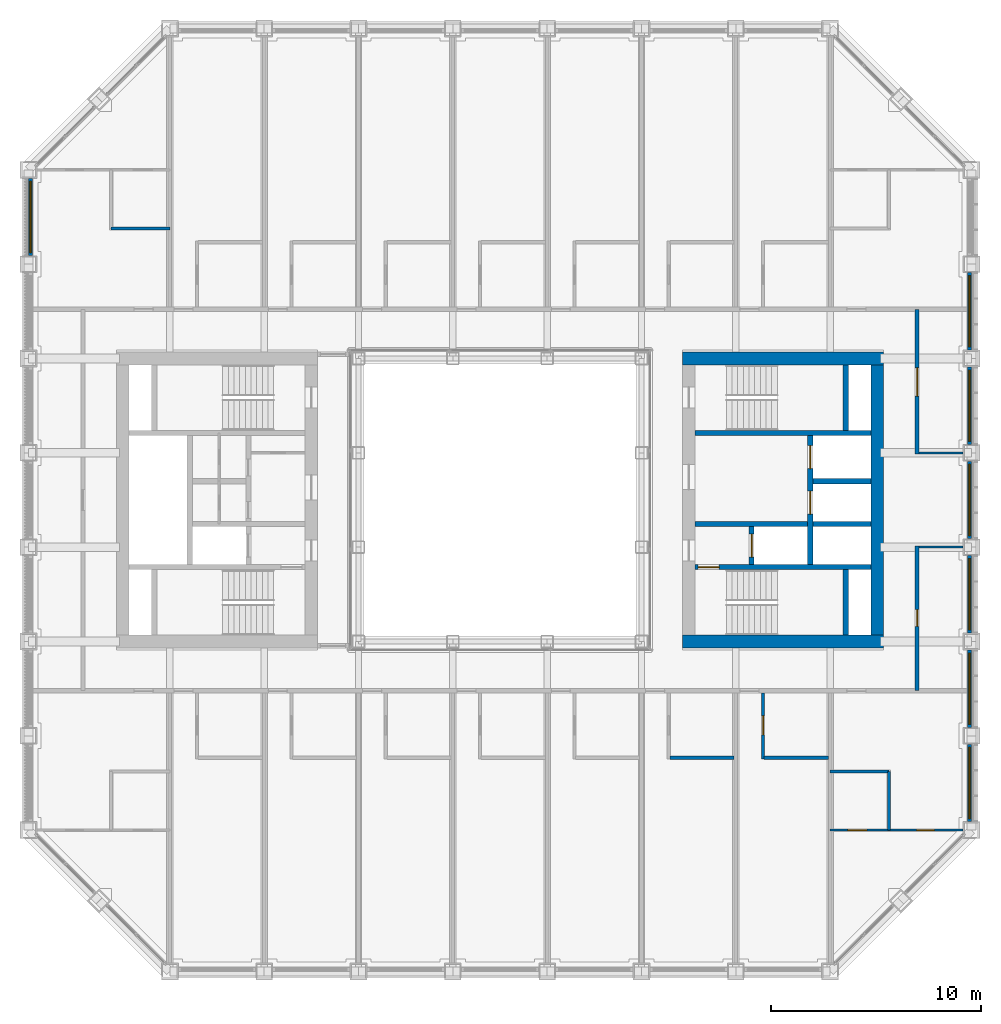
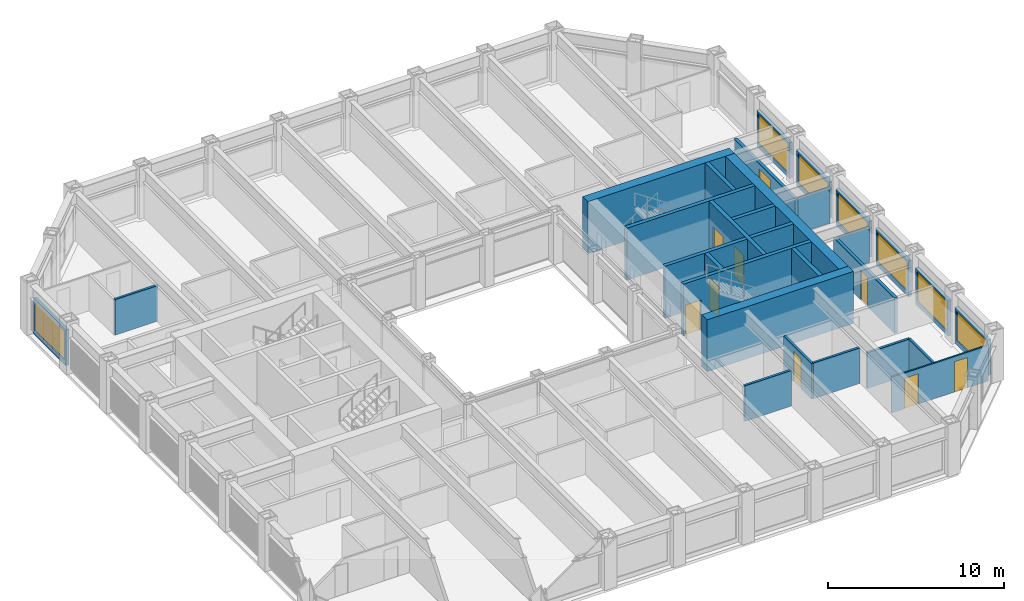
# One storey, part 13 of 18: 30 walls, 9 doors, 7 windows, 16 openings.
"""IFC4 building model written with IfcOpenShell, lengths in metres."""

from ifc_helpers import new_model, si_unit, direction, frame, frame_2d, origin, place, context, subcontext, project, spatial, rectangle, extrude, material, layer, layer_set, type_object, element, fill, save


model = new_model("IFC4")

# Units and contexts
model_context = context("Model", 3, precision=1e-05, world=origin(), true_north=direction((0.0, 1.0)))
body_context = subcontext(model_context, "Body", "Model", "MODEL_VIEW")
ifc_project = project(units=[si_unit("LENGTHUNIT", "METRE"), si_unit("AREAUNIT", "SQUARE_METRE"), si_unit("VOLUMEUNIT", "CUBIC_METRE"), si_unit("PLANEANGLEUNIT", "RADIAN"), si_unit("MASSUNIT", "GRAM", prefix="KILO")], contexts=[model_context])

# Site, building, storey
site_placement = place(None, origin())
site = spatial("IfcSite", under=ifc_project, at=site_placement, CompositionType="ELEMENT")
building_placement = place(site_placement, origin())
building = spatial("IfcBuilding", under=site, at=building_placement, Name="Msasa Ring Tower", CompositionType="ELEMENT")
storey_placement = place(building_placement, frame((0.0, 0.0, 122.0)))
storey = spatial("IfcBuildingStorey", under=building, at=storey_placement, Name="L31", CompositionType="ELEMENT", Elevation=122.0)

# Walls
ifc_material_1 = material(Name="Concrete C60/75", Category="concrete")
ifc_layer_1 = layer(ifc_material_1, 0.60009765625)
ifc_layer_set_1 = layer_set([ifc_layer_1], Name="CW2 CORE WALL 600")
wall_type_1 = type_object("IfcWallType", Name="CW2 CORE WALL 600", PredefinedType="SHEAR", material=ifc_layer_set_1)
for number, where, z_axis, x_axis, name in (
    (1, (8.699951171875, -6.75, 0.0), (0.0, 0.0, 1.0), (1.0, 0.0, 0.0), "E core wall S L31"),
    (2, (8.699951171875, 6.75, 0.0), (0.0, 0.0, 1.0), (1.0, 0.0, 0.0), "E core wall N L31"),
):
    element("IfcWall", number, at=place(storey_placement, frame(where, z_axis=z_axis, x_axis=x_axis)), inside=storey, type_object=wall_type_1, Name=name, PredefinedType="SHEAR", context=body_context, shape_type="SweptSolid", body=[
        extrude(rectangle(XDim=9.60009765625, YDim=0.60009765625, at=frame_2d((4.800048828125, 0.0))), origin(), (0.0, 0.0, 1.0), 3.60009765625),
    ])
wall_1_placement = place(storey_placement, frame((18.0, -6.449951171875, 0.0), z_axis=(0.0, 0.0, 1.0), x_axis=(0.0, 1.0, 0.0)))
element("IfcWall", 3, at=wall_1_placement, inside=storey, type_object=wall_type_1, Name="E core wall E L31", PredefinedType="SHEAR", context=body_context, shape_type="SweptSolid", body=[
    extrude(rectangle(XDim=12.89990234375, YDim=0.60009765625, at=frame_2d((6.449951171875, 0.0))), origin(), (0.0, 0.0, 1.0), 3.60009765625),
])

# Wall, opening, door
ifc_material_2 = material(Name="Concrete C60/75", Category="concrete")
ifc_layer_2 = layer(ifc_material_2, 0.25)
ifc_layer_set_2 = layer_set([ifc_layer_2], Name="CW4 CORE INNER WALL 250")
wall_type_2 = type_object("IfcWallType", Name="CW4 CORE INNER WALL 250", PredefinedType="SHEAR", material=ifc_layer_set_2)
wall_2_placement = place(storey_placement, frame((9.300048828125, -3.199951171875, 0.0), z_axis=(0.0, 0.0, 1.0), x_axis=(1.0, 0.0, 0.0)))
wall_2 = element("IfcWall", 4, at=wall_2_placement, inside=storey, type_object=wall_type_2, Name="E core wall STAIRA L31", PredefinedType="SHEAR", context=body_context, shape_type="SweptSolid", body=[
    extrude(rectangle(XDim=8.39990234375, YDim=0.25, at=frame_2d((4.199951171875, 0.0))), origin(), (0.0, 0.0, 1.0), 3.60009765625),
])
opening_1_placement = place(wall_2_placement, frame((0.14990234375, 0.0, 0.0)))
opening_1 = element("IfcOpeningElement", 5, at=opening_1_placement, cuts=wall_2, Name="Opening HA-036", PredefinedType="OPENING", context=body_context, shape_type="SweptSolid", body=[
    extrude(rectangle(XDim=1.0, YDim=2.10009765625, at=frame_2d((0.5, 1.050048828125))), frame((0.0, 0.135009765625, 0.0), z_axis=(0.0, -1.0, 0.0), x_axis=(1.0, 0.0, 0.0)), (0.0, 0.0, 1.0), 0.27001953125),
])
ifc_material_3 = material(Name="Timber door leaf in a steel frame", Category="steel")
door_type_1 = type_object("IfcDoorType", Name="D6 STAIR DOOR 1000x2100", OperationType="SINGLE_SWING_LEFT", PredefinedType="DOOR", material=ifc_material_3)
door_1_placement = place(opening_1_placement, origin())
door_1 = element("IfcDoor", 6, at=door_1_placement, inside=storey, type_object=door_type_1, Name="Door L31-ESTA", OperationType="SINGLE_SWING_LEFT", OverallHeight=2.10009765625, OverallWidth=1.0, PredefinedType="DOOR", context=body_context, shape_type="SweptSolid", body=[
    extrude(rectangle(XDim=1.0, YDim=2.10009765625, at=frame_2d((0.5, 1.050048828125))), frame((0.0, 0.02490234375, 0.0), z_axis=(0.0, -1.0, 0.0), x_axis=(1.0, 0.0, 0.0)), (0.0, 0.0, 1.0), 0.050048828125),
])
fill(opening_1, door_1)

# Walls
wall_3_placement = place(storey_placement, frame((9.300048828125, 3.199951171875, 0.0), z_axis=(0.0, 0.0, 1.0), x_axis=(1.0, 0.0, 0.0)))
element("IfcWall", 7, at=wall_3_placement, inside=storey, type_object=wall_type_2, Name="E core wall STAIRB L31", PredefinedType="SHEAR", context=body_context, shape_type="SweptSolid", body=[
    extrude(rectangle(XDim=8.39990234375, YDim=0.25, at=frame_2d((4.199951171875, 0.0))), origin(), (0.0, 0.0, 1.0), 3.60009765625),
])
for number, where, z_axis, x_axis, name in (
    (8, (16.5, -6.449951171875, 0.0), (0.0, 0.0, 1.0), (0.0, 1.0, 0.0), "E core wall RISERA L31"),
    (9, (16.5, 3.324951171875, 0.0), (0.0, 0.0, 1.0), (0.0, 1.0, 0.0), "E core wall RISERB L31"),
):
    element("IfcWall", number, at=place(storey_placement, frame(where, z_axis=z_axis, x_axis=x_axis)), inside=storey, type_object=wall_type_2, Name=name, PredefinedType="SHEAR", context=body_context, shape_type="SweptSolid", body=[
        extrude(rectangle(XDim=3.125, YDim=0.25, at=frame_2d((1.5625, 0.0))), origin(), (0.0, 0.0, 1.0), 3.60009765625),
    ])
wall_4_placement = place(storey_placement, frame((9.300048828125, -1.14990234375, 0.0), z_axis=(0.0, 0.0, 1.0), x_axis=(1.0, 0.0, 0.0)))
element("IfcWall", 10, at=wall_4_placement, inside=storey, type_object=wall_type_2, Name="E core wall FFL L31", PredefinedType="SHEAR", context=body_context, shape_type="SweptSolid", body=[
    extrude(rectangle(XDim=5.375, YDim=0.25, at=frame_2d((2.6875, 0.0))), origin(), (0.0, 0.0, 1.0), 3.60009765625),
])

# Wall, opening, door
wall_5_placement = place(storey_placement, frame((12.0, -3.074951171875, 0.0), z_axis=(0.0, 0.0, 1.0), x_axis=(0.0, 1.0, 0.0)))
wall_5 = element("IfcWall", 11, at=wall_5_placement, inside=storey, type_object=wall_type_2, Name="E core wall LOBBY L31", PredefinedType="SHEAR", context=body_context, shape_type="SweptSolid", body=[
    extrude(rectangle(XDim=1.800048828125, YDim=0.25, at=frame_2d((0.89990234375, 0.0))), origin(), (0.0, 0.0, 1.0), 3.60009765625),
])
opening_2_placement = place(wall_5_placement, frame((0.35009765625, 0.0, 0.0)))
opening_2 = element("IfcOpeningElement", 12, at=opening_2_placement, cuts=wall_5, Name="Opening LD1", PredefinedType="OPENING", context=body_context, shape_type="SweptSolid", body=[
    extrude(rectangle(XDim=1.10009765625, YDim=2.10009765625, at=frame_2d((0.550048828125, 1.050048828125))), frame((0.0, 0.135009765625, 0.0), z_axis=(0.0, -1.0, 0.0), x_axis=(1.0, 0.0, 0.0)), (0.0, 0.0, 1.0), 0.27001953125),
])
ifc_material_4 = material(Name="Stainless steel lift landing door", Category="steel")
door_type_2 = type_object("IfcDoorType", Name="LD1 LIFT LANDING DOOR 1100x2100", OperationType="DOUBLE_DOOR_SLIDING", PredefinedType="DOOR", material=ifc_material_4)
door_2_placement = place(opening_2_placement, origin())
door_2 = element("IfcDoor", 13, at=door_2_placement, inside=storey, type_object=door_type_2, Name="Lift landing door FL-E L31", OperationType="DOUBLE_DOOR_SLIDING", OverallHeight=2.10009765625, OverallWidth=1.10009765625, PredefinedType="DOOR", context=body_context, shape_type="SweptSolid", body=[
    extrude(rectangle(XDim=1.10009765625, YDim=2.10009765625, at=frame_2d((0.550048828125, 1.050048828125))), frame((0.0, 0.02490234375, 0.0), z_axis=(0.0, -1.0, 0.0), x_axis=(1.0, 0.0, 0.0)), (0.0, 0.0, 1.0), 0.050048828125),
])
fill(opening_2, door_2)

# Wall, openings, doors
wall_6_placement = place(storey_placement, frame((14.800048828125, -3.074951171875, 0.0), z_axis=(0.0, 0.0, 1.0), x_axis=(0.0, 1.0, 0.0)))
wall_6 = element("IfcWall", 14, at=wall_6_placement, inside=storey, type_object=wall_type_2, Name="E core wall SHAFT L31", PredefinedType="SHEAR", context=body_context, shape_type="SweptSolid", body=[
    extrude(rectangle(XDim=6.14990234375, YDim=0.25, at=frame_2d((3.074951171875, 0.0))), origin(), (0.0, 0.0, 1.0), 3.60009765625),
])
opening_3_placement = place(wall_6_placement, frame((2.39990234375, 0.0, 0.0)))
opening_3 = element("IfcOpeningElement", 15, at=opening_3_placement, cuts=wall_6, Name="Opening LD1", PredefinedType="OPENING", context=body_context, shape_type="SweptSolid", body=[
    extrude(rectangle(XDim=1.10009765625, YDim=2.10009765625, at=frame_2d((0.550048828125, 1.050048828125))), frame((0.0, 0.135009765625, 0.0), z_axis=(0.0, -1.0, 0.0), x_axis=(1.0, 0.0, 0.0)), (0.0, 0.0, 1.0), 0.27001953125),
])
opening_4_placement = place(wall_6_placement, frame((4.574951171875, 0.0, 0.0)))
opening_4 = element("IfcOpeningElement", 16, at=opening_4_placement, cuts=wall_6, Name="Opening LD1", PredefinedType="OPENING", context=body_context, shape_type="SweptSolid", body=[
    extrude(rectangle(XDim=1.10009765625, YDim=2.10009765625, at=frame_2d((0.550048828125, 1.050048828125))), frame((0.0, 0.135009765625, 0.0), z_axis=(0.0, -1.0, 0.0), x_axis=(1.0, 0.0, 0.0)), (0.0, 0.0, 1.0), 0.27001953125),
])
door_3_placement = place(opening_3_placement, origin())
door_3 = element("IfcDoor", 17, at=door_3_placement, inside=storey, type_object=door_type_2, Name="Lift landing door PL-H1 L31", OperationType="DOUBLE_DOOR_SLIDING", OverallHeight=2.10009765625, OverallWidth=1.10009765625, PredefinedType="DOOR", context=body_context, shape_type="SweptSolid", body=[
    extrude(rectangle(XDim=1.10009765625, YDim=2.10009765625, at=frame_2d((0.550048828125, 1.050048828125))), frame((0.0, 0.02490234375, 0.0), z_axis=(0.0, -1.0, 0.0), x_axis=(1.0, 0.0, 0.0)), (0.0, 0.0, 1.0), 0.050048828125),
])
fill(opening_3, door_3)
door_4_placement = place(opening_4_placement, origin())
door_4 = element("IfcDoor", 18, at=door_4_placement, inside=storey, type_object=door_type_2, Name="Lift landing door PL-H2 L31", OperationType="DOUBLE_DOOR_SLIDING", OverallHeight=2.10009765625, OverallWidth=1.10009765625, PredefinedType="DOOR", context=body_context, shape_type="SweptSolid", body=[
    extrude(rectangle(XDim=1.10009765625, YDim=2.10009765625, at=frame_2d((0.550048828125, 1.050048828125))), frame((0.0, 0.02490234375, 0.0), z_axis=(0.0, -1.0, 0.0), x_axis=(1.0, 0.0, 0.0)), (0.0, 0.0, 1.0), 0.050048828125),
])
fill(opening_4, door_4)

# Walls
for number, where, z_axis, x_axis, name in (
    (19, (14.925048828125, -1.14990234375, 0.0), (0.0, 0.0, 1.0), (1.0, 0.0, 0.0), "E core wall HSEP L31"),
    (20, (14.925048828125, 0.89990234375, 0.0), (0.0, 0.0, 1.0), (1.0, 0.0, 0.0), "E core wall HLIFT L31"),
):
    element("IfcWall", number, at=place(storey_placement, frame(where, z_axis=z_axis, x_axis=x_axis)), inside=storey, type_object=wall_type_2, Name=name, PredefinedType="SHEAR", context=body_context, shape_type="SweptSolid", body=[
        extrude(rectangle(XDim=2.77490234375, YDim=0.25, at=frame_2d((1.387451171875, 0.0))), origin(), (0.0, 0.0, 1.0), 3.60009765625),
    ])

# Wall, opening, window
ifc_material_5 = material(Name="Terracotta rainscreen on blockwork", Category="masonry")
ifc_layer_3 = layer(ifc_material_5, 0.199951171875)
ifc_layer_set_3 = layer_set([ifc_layer_3], Name="FW1 TERRACOTTA-LINED INFILL BAY WALL 200")
wall_type_3 = type_object("IfcWallType", Name="FW1 TERRACOTTA-LINED INFILL BAY WALL 200", PredefinedType="SOLIDWALL", material=ifc_layer_set_3)
wall_7_placement = place(storey_placement, frame((22.39990234375, -15.344970703125, 0.0), z_axis=(0.0, 0.0, 1.0), x_axis=(0.0, 1.0, 0.0)))
wall_7 = element("IfcWall", 21, at=wall_7_placement, inside=storey, type_object=wall_type_3, Name="Infill bay wall E L31 09", PredefinedType="SOLIDWALL", context=body_context, shape_type="SweptSolid", body=[
    extrude(rectangle(XDim=3.68994140625, YDim=0.199951171875, at=frame_2d((1.844970703125, 0.0))), origin(), (0.0, 0.0, 1.0), 2.47900390625),
])
opening_5_placement = place(wall_7_placement, frame((0.14501953125, 0.0, 0.300048828125)))
opening_5 = element("IfcOpeningElement", 22, at=opening_5_placement, cuts=wall_7, Name="Opening WN2", PredefinedType="OPENING", context=body_context, shape_type="SweptSolid", body=[
    extrude(rectangle(XDim=3.39990234375, YDim=2.029052734375, at=frame_2d((1.699951171875, 1.0146484375))), frame((0.0, 0.10986328125, 0.0), z_axis=(0.0, -1.0, 0.0), x_axis=(1.0, 0.0, 0.0)), (0.0, 0.0, 1.0), 0.219970703125),
])
ifc_material_6 = material(Name="Aluminium frame with clear glass", Category="aluminium")
window_type = type_object("IfcWindowType", Name="WN2 GUEST ROOM WINDOW 3400x2029", PartitioningType="SINGLE_PANEL", PredefinedType="WINDOW", material=ifc_material_6)
window_1_placement = place(opening_5_placement, origin())
window_1 = element("IfcWindow", 23, at=window_1_placement, inside=storey, type_object=window_type, Name="Window E L31 09", OverallHeight=2.029052734375, OverallWidth=3.39990234375, PartitioningType="SINGLE_PANEL", PredefinedType="WINDOW", context=body_context, shape_type="SweptSolid", body=[
    extrude(rectangle(XDim=3.39990234375, YDim=2.029052734375, at=frame_2d((1.699951171875, 1.0146484375))), frame((0.0, 0.030029296875, 0.0), z_axis=(0.0, -1.0, 0.0), x_axis=(1.0, 0.0, 0.0)), (0.0, 0.0, 1.0), 0.06005859375),
])
fill(opening_5, window_1)

wall_8_placement = place(storey_placement, frame((22.39990234375, -10.844970703125, 0.0), z_axis=(0.0, 0.0, 1.0), x_axis=(0.0, 1.0, 0.0)))
wall_8 = element("IfcWall", 24, at=wall_8_placement, inside=storey, type_object=wall_type_3, Name="Infill bay wall E L31 10", PredefinedType="SOLIDWALL", context=body_context, shape_type="SweptSolid", body=[
    extrude(rectangle(XDim=3.68994140625, YDim=0.199951171875, at=frame_2d((1.844970703125, 0.0))), origin(), (0.0, 0.0, 1.0), 2.47900390625),
])
opening_6_placement = place(wall_8_placement, frame((0.14501953125, 0.0, 0.300048828125)))
opening_6 = element("IfcOpeningElement", 25, at=opening_6_placement, cuts=wall_8, Name="Opening WN2", PredefinedType="OPENING", context=body_context, shape_type="SweptSolid", body=[
    extrude(rectangle(XDim=3.39990234375, YDim=2.029052734375, at=frame_2d((1.699951171875, 1.0146484375))), frame((0.0, 0.10986328125, 0.0), z_axis=(0.0, -1.0, 0.0), x_axis=(1.0, 0.0, 0.0)), (0.0, 0.0, 1.0), 0.219970703125),
])
window_2_placement = place(opening_6_placement, origin())
window_2 = element("IfcWindow", 26, at=window_2_placement, inside=storey, type_object=window_type, Name="Window E L31 10", OverallHeight=2.029052734375, OverallWidth=3.39990234375, PartitioningType="SINGLE_PANEL", PredefinedType="WINDOW", context=body_context, shape_type="SweptSolid", body=[
    extrude(rectangle(XDim=3.39990234375, YDim=2.029052734375, at=frame_2d((1.699951171875, 1.0146484375))), frame((0.0, 0.030029296875, 0.0), z_axis=(0.0, -1.0, 0.0), x_axis=(1.0, 0.0, 0.0)), (0.0, 0.0, 1.0), 0.06005859375),
])
fill(opening_6, window_2)

wall_9_placement = place(storey_placement, frame((22.39990234375, -6.344970703125, 0.0), z_axis=(0.0, 0.0, 1.0), x_axis=(0.0, 1.0, 0.0)))
wall_9 = element("IfcWall", 27, at=wall_9_placement, inside=storey, type_object=wall_type_3, Name="Infill bay wall E L31 11", PredefinedType="SOLIDWALL", context=body_context, shape_type="SweptSolid", body=[
    extrude(rectangle(XDim=3.68994140625, YDim=0.199951171875, at=frame_2d((1.844970703125, 0.0))), origin(), (0.0, 0.0, 1.0), 2.47900390625),
])
opening_7_placement = place(wall_9_placement, frame((0.14501953125, 0.0, 0.300048828125)))
opening_7 = element("IfcOpeningElement", 28, at=opening_7_placement, cuts=wall_9, Name="Opening WN2", PredefinedType="OPENING", context=body_context, shape_type="SweptSolid", body=[
    extrude(rectangle(XDim=3.39990234375, YDim=2.029052734375, at=frame_2d((1.699951171875, 1.0146484375))), frame((0.0, 0.10986328125, 0.0), z_axis=(0.0, -1.0, 0.0), x_axis=(1.0, 0.0, 0.0)), (0.0, 0.0, 1.0), 0.219970703125),
])
window_3_placement = place(opening_7_placement, origin())
window_3 = element("IfcWindow", 29, at=window_3_placement, inside=storey, type_object=window_type, Name="Window E L31 11", OverallHeight=2.029052734375, OverallWidth=3.39990234375, PartitioningType="SINGLE_PANEL", PredefinedType="WINDOW", context=body_context, shape_type="SweptSolid", body=[
    extrude(rectangle(XDim=3.39990234375, YDim=2.029052734375, at=frame_2d((1.699951171875, 1.0146484375))), frame((0.0, 0.030029296875, 0.0), z_axis=(0.0, -1.0, 0.0), x_axis=(1.0, 0.0, 0.0)), (0.0, 0.0, 1.0), 0.06005859375),
])
fill(opening_7, window_3)

wall_10_placement = place(storey_placement, frame((22.39990234375, -1.844970703125, 0.0), z_axis=(0.0, 0.0, 1.0), x_axis=(0.0, 1.0, 0.0)))
wall_10 = element("IfcWall", 30, at=wall_10_placement, inside=storey, type_object=wall_type_3, Name="Infill bay wall E L31 12", PredefinedType="SOLIDWALL", context=body_context, shape_type="SweptSolid", body=[
    extrude(rectangle(XDim=3.68994140625, YDim=0.199951171875, at=frame_2d((1.844970703125, 0.0))), origin(), (0.0, 0.0, 1.0), 2.47900390625),
])
opening_8_placement = place(wall_10_placement, frame((0.14501953125, 0.0, 0.300048828125)))
opening_8 = element("IfcOpeningElement", 31, at=opening_8_placement, cuts=wall_10, Name="Opening WN2", PredefinedType="OPENING", context=body_context, shape_type="SweptSolid", body=[
    extrude(rectangle(XDim=3.39990234375, YDim=2.029052734375, at=frame_2d((1.699951171875, 1.0146484375))), frame((0.0, 0.10986328125, 0.0), z_axis=(0.0, -1.0, 0.0), x_axis=(1.0, 0.0, 0.0)), (0.0, 0.0, 1.0), 0.219970703125),
])
window_4_placement = place(opening_8_placement, origin())
window_4 = element("IfcWindow", 32, at=window_4_placement, inside=storey, type_object=window_type, Name="Window E L31 12", OverallHeight=2.029052734375, OverallWidth=3.39990234375, PartitioningType="SINGLE_PANEL", PredefinedType="WINDOW", context=body_context, shape_type="SweptSolid", body=[
    extrude(rectangle(XDim=3.39990234375, YDim=2.029052734375, at=frame_2d((1.699951171875, 1.0146484375))), frame((0.0, 0.030029296875, 0.0), z_axis=(0.0, -1.0, 0.0), x_axis=(1.0, 0.0, 0.0)), (0.0, 0.0, 1.0), 0.06005859375),
])
fill(opening_8, window_4)

wall_11_placement = place(storey_placement, frame((22.39990234375, 2.655029296875, 0.0), z_axis=(0.0, 0.0, 1.0), x_axis=(0.0, 1.0, 0.0)))
wall_11 = element("IfcWall", 33, at=wall_11_placement, inside=storey, type_object=wall_type_3, Name="Infill bay wall E L31 13", PredefinedType="SOLIDWALL", context=body_context, shape_type="SweptSolid", body=[
    extrude(rectangle(XDim=3.68994140625, YDim=0.199951171875, at=frame_2d((1.844970703125, 0.0))), origin(), (0.0, 0.0, 1.0), 2.47900390625),
])
opening_9_placement = place(wall_11_placement, frame((0.14501953125, 0.0, 0.300048828125)))
opening_9 = element("IfcOpeningElement", 34, at=opening_9_placement, cuts=wall_11, Name="Opening WN2", PredefinedType="OPENING", context=body_context, shape_type="SweptSolid", body=[
    extrude(rectangle(XDim=3.39990234375, YDim=2.029052734375, at=frame_2d((1.699951171875, 1.0146484375))), frame((0.0, 0.10986328125, 0.0), z_axis=(0.0, -1.0, 0.0), x_axis=(1.0, 0.0, 0.0)), (0.0, 0.0, 1.0), 0.219970703125),
])
window_5_placement = place(opening_9_placement, origin())
window_5 = element("IfcWindow", 35, at=window_5_placement, inside=storey, type_object=window_type, Name="Window E L31 13", OverallHeight=2.029052734375, OverallWidth=3.39990234375, PartitioningType="SINGLE_PANEL", PredefinedType="WINDOW", context=body_context, shape_type="SweptSolid", body=[
    extrude(rectangle(XDim=3.39990234375, YDim=2.029052734375, at=frame_2d((1.699951171875, 1.0146484375))), frame((0.0, 0.030029296875, 0.0), z_axis=(0.0, -1.0, 0.0), x_axis=(1.0, 0.0, 0.0)), (0.0, 0.0, 1.0), 0.06005859375),
])
fill(opening_9, window_5)

wall_12_placement = place(storey_placement, frame((22.39990234375, 7.155029296875, 0.0), z_axis=(0.0, 0.0, 1.0), x_axis=(0.0, 1.0, 0.0)))
wall_12 = element("IfcWall", 36, at=wall_12_placement, inside=storey, type_object=wall_type_3, Name="Infill bay wall E L31 14", PredefinedType="SOLIDWALL", context=body_context, shape_type="SweptSolid", body=[
    extrude(rectangle(XDim=3.68994140625, YDim=0.199951171875, at=frame_2d((1.844970703125, 0.0))), origin(), (0.0, 0.0, 1.0), 2.47900390625),
])
opening_10_placement = place(wall_12_placement, frame((0.14501953125, 0.0, 0.300048828125)))
opening_10 = element("IfcOpeningElement", 37, at=opening_10_placement, cuts=wall_12, Name="Opening WN2", PredefinedType="OPENING", context=body_context, shape_type="SweptSolid", body=[
    extrude(rectangle(XDim=3.39990234375, YDim=2.029052734375, at=frame_2d((1.699951171875, 1.0146484375))), frame((0.0, 0.10986328125, 0.0), z_axis=(0.0, -1.0, 0.0), x_axis=(1.0, 0.0, 0.0)), (0.0, 0.0, 1.0), 0.219970703125),
])
window_6_placement = place(opening_10_placement, origin())
window_6 = element("IfcWindow", 38, at=window_6_placement, inside=storey, type_object=window_type, Name="Window E L31 14", OverallHeight=2.029052734375, OverallWidth=3.39990234375, PartitioningType="SINGLE_PANEL", PredefinedType="WINDOW", context=body_context, shape_type="SweptSolid", body=[
    extrude(rectangle(XDim=3.39990234375, YDim=2.029052734375, at=frame_2d((1.699951171875, 1.0146484375))), frame((0.0, 0.030029296875, 0.0), z_axis=(0.0, -1.0, 0.0), x_axis=(1.0, 0.0, 0.0)), (0.0, 0.0, 1.0), 0.06005859375),
])
fill(opening_10, window_6)

wall_13_placement = place(storey_placement, frame((-22.39990234375, 11.655029296875, 0.0), z_axis=(0.0, 0.0, 1.0), x_axis=(0.0, 1.0, 0.0)))
wall_13 = element("IfcWall", 39, at=wall_13_placement, inside=storey, type_object=wall_type_3, Name="Infill bay wall W L31 33", PredefinedType="SOLIDWALL", context=body_context, shape_type="SweptSolid", body=[
    extrude(rectangle(XDim=3.68994140625, YDim=0.199951171875, at=frame_2d((1.844970703125, 0.0))), origin(), (0.0, 0.0, 1.0), 2.47900390625),
])
opening_11_placement = place(wall_13_placement, frame((0.14501953125, 0.0, 0.300048828125)))
opening_11 = element("IfcOpeningElement", 40, at=opening_11_placement, cuts=wall_13, Name="Opening WN2", PredefinedType="OPENING", context=body_context, shape_type="SweptSolid", body=[
    extrude(rectangle(XDim=3.39990234375, YDim=2.029052734375, at=frame_2d((1.699951171875, 1.0146484375))), frame((0.0, 0.10986328125, 0.0), z_axis=(0.0, -1.0, 0.0), x_axis=(1.0, 0.0, 0.0)), (0.0, 0.0, 1.0), 0.219970703125),
])
window_7_placement = place(opening_11_placement, origin())
window_7 = element("IfcWindow", 41, at=window_7_placement, inside=storey, type_object=window_type, Name="Window W L31 33", OverallHeight=2.029052734375, OverallWidth=3.39990234375, PartitioningType="SINGLE_PANEL", PredefinedType="WINDOW", context=body_context, shape_type="SweptSolid", body=[
    extrude(rectangle(XDim=3.39990234375, YDim=2.029052734375, at=frame_2d((1.699951171875, 1.0146484375))), frame((0.0, 0.030029296875, 0.0), z_axis=(0.0, -1.0, 0.0), x_axis=(1.0, 0.0, 0.0)), (0.0, 0.0, 1.0), 0.06005859375),
])
fill(opening_11, window_7)

# Wall, opening, door
ifc_material_7 = material(Name="Concrete blockwork", Category="masonry")
ifc_layer_4 = layer(ifc_material_7, 0.199951171875)
ifc_layer_set_4 = layer_set([ifc_layer_4], Name="PT1 CORRIDOR WALL 200")
wall_type_4 = type_object("IfcWallType", Name="PT1 CORRIDOR WALL 200", PredefinedType="PARTITIONING", material=ifc_layer_set_4)
wall_14_placement = place(storey_placement, frame((19.89990234375, -9.10009765625, 0.0), z_axis=(0.0, 0.0, 1.0), x_axis=(0.0, 1.0, 0.0)))
wall_14 = element("IfcWall", 42, at=wall_14_placement, inside=storey, type_object=wall_type_4, Name="Corridor wall L31-STRES", PredefinedType="PARTITIONING", context=body_context, shape_type="SweptSolid", body=[
    extrude(rectangle(XDim=6.900146484375, YDim=0.199951171875, at=frame_2d((3.4501953125, 0.0))), origin(), (0.0, 0.0, 1.0), 2.473388671875),
])
opening_12_placement = place(wall_14_placement, frame((3.074951171875, 0.0, 0.0)))
opening_12 = element("IfcOpeningElement", 43, at=opening_12_placement, cuts=wall_14, Name="Opening HA-037", PredefinedType="OPENING", context=body_context, shape_type="SweptSolid", body=[
    extrude(rectangle(XDim=0.800048828125, YDim=2.10009765625, at=frame_2d((0.39990234375, 1.050048828125))), frame((0.0, 0.10986328125, 0.0), z_axis=(0.0, -1.0, 0.0), x_axis=(1.0, 0.0, 0.0)), (0.0, 0.0, 1.0), 0.219970703125),
])
ifc_material_8 = material(Name="Timber door leaf in a steel frame", Category="steel")
door_type_3 = type_object("IfcDoorType", Name="D11 NARROW STORE DOOR 800x2100", OperationType="SINGLE_SWING_LEFT", PredefinedType="DOOR", material=ifc_material_8)
door_5_placement = place(opening_12_placement, origin())
door_5 = element("IfcDoor", 44, at=door_5_placement, inside=storey, type_object=door_type_3, Name="Door L31-CLE", OperationType="SINGLE_SWING_LEFT", OverallHeight=2.10009765625, OverallWidth=0.800048828125, PredefinedType="DOOR", context=body_context, shape_type="SweptSolid", body=[
    extrude(rectangle(XDim=0.800048828125, YDim=2.10009765625, at=frame_2d((0.39990234375, 1.050048828125))), frame((0.0, 0.02490234375, 0.0), z_axis=(0.0, -1.0, 0.0), x_axis=(1.0, 0.0, 0.0)), (0.0, 0.0, 1.0), 0.050048828125),
])
fill(opening_12, door_5)

wall_15_placement = place(storey_placement, frame((19.89990234375, 2.199951171875, 0.0), z_axis=(0.0, 0.0, 1.0), x_axis=(0.0, 1.0, 0.0)))
wall_15 = element("IfcWall", 45, at=wall_15_placement, inside=storey, type_object=wall_type_4, Name="Corridor wall L31-STREN", PredefinedType="PARTITIONING", context=body_context, shape_type="SweptSolid", body=[
    extrude(rectangle(XDim=6.900146484375, YDim=0.199951171875, at=frame_2d((3.4501953125, 0.0))), origin(), (0.0, 0.0, 1.0), 2.473388671875),
])
opening_13_placement = place(wall_15_placement, frame((2.75, 0.0, 0.0)))
opening_13 = element("IfcOpeningElement", 46, at=opening_13_placement, cuts=wall_15, Name="Opening HA-022", PredefinedType="OPENING", context=body_context, shape_type="SweptSolid", body=[
    extrude(rectangle(XDim=1.35009765625, YDim=2.10009765625, at=frame_2d((0.675048828125, 1.050048828125))), frame((0.0, 0.10986328125, 0.0), z_axis=(0.0, -1.0, 0.0), x_axis=(1.0, 0.0, 0.0)), (0.0, 0.0, 1.0), 0.219970703125),
])
ifc_material_9 = material(Name="Timber door leaf in a steel frame", Category="steel")
door_type_4 = type_object("IfcDoorType", Name="D23 HOUSEKEEPING UNEQUAL PAIR OF DOORS 1350x2100", OperationType="SINGLE_SWING_LEFT", PredefinedType="DOOR", material=ifc_material_9)
door_6_placement = place(opening_13_placement, origin())
door_6 = element("IfcDoor", 47, at=door_6_placement, inside=storey, type_object=door_type_4, Name="Door L31-HKE", OperationType="SINGLE_SWING_LEFT", OverallHeight=2.10009765625, OverallWidth=1.35009765625, PredefinedType="DOOR", context=body_context, shape_type="SweptSolid", body=[
    extrude(rectangle(XDim=1.35009765625, YDim=2.10009765625, at=frame_2d((0.675048828125, 1.050048828125))), frame((0.0, 0.02490234375, 0.0), z_axis=(0.0, -1.0, 0.0), x_axis=(1.0, 0.0, 0.0)), (0.0, 0.0, 1.0), 0.050048828125),
])
fill(opening_13, door_6)

# Wall, openings, doors
ifc_material_10 = material(Name="Gypsum board on steel studs", Category="steel")
ifc_layer_5 = layer(ifc_material_10, 0.10009765625)
ifc_layer_set_5 = layer_set([ifc_layer_5], Name="PT2 STUD PARTITION 100")
wall_type_5 = type_object("IfcWallType", Name="PT2 STUD PARTITION 100", PredefinedType="PARTITIONING", material=ifc_layer_set_5)
wall_16_placement = place(storey_placement, frame((15.75, -15.75, 0.0), z_axis=(0.0, 0.0, 1.0), x_axis=(1.0, 0.0, 0.0)))
wall_16 = element("IfcWall", 48, at=wall_16_placement, inside=storey, type_object=wall_type_5, Name="Partition L31-CSSEX", PredefinedType="PARTITIONING", context=body_context, shape_type="SweptSolid", body=[
    extrude(rectangle(XDim=6.35009765625, YDim=0.10009765625, at=frame_2d((3.175048828125, 0.0))), origin(), (0.0, 0.0, 1.0), 2.473388671875),
])
opening_14_placement = place(wall_16_placement, frame((4.125, 0.0, 0.0)))
opening_14 = element("IfcOpeningElement", 49, at=opening_14_placement, cuts=wall_16, Name="Opening HA-058", PredefinedType="OPENING", context=body_context, shape_type="SweptSolid", body=[
    extrude(rectangle(XDim=0.85009765625, YDim=2.10009765625, at=frame_2d((0.425048828125, 1.050048828125))), frame((0.0, 0.06005859375, 0.0), z_axis=(0.0, -1.0, 0.0), x_axis=(1.0, 0.0, 0.0)), (0.0, 0.0, 1.0), 0.1201171875),
])
opening_15_placement = place(wall_16_placement, frame((0.85009765625, 0.0, 0.0)))
opening_15 = element("IfcOpeningElement", 50, at=opening_15_placement, cuts=wall_16, Name="Opening HA-057", PredefinedType="OPENING", context=body_context, shape_type="SweptSolid", body=[
    extrude(rectangle(XDim=0.89990234375, YDim=2.10009765625, at=frame_2d((0.449951171875, 1.050048828125))), frame((0.0, 0.06005859375, 0.0), z_axis=(0.0, -1.0, 0.0), x_axis=(1.0, 0.0, 0.0)), (0.0, 0.0, 1.0), 0.1201171875),
])
ifc_material_11 = material(Name="Timber door leaf in a steel frame", Category="steel")
door_type_5 = type_object("IfcDoorType", Name="D14 BEDROOM DOOR 850x2100", OperationType="SINGLE_SWING_LEFT", PredefinedType="DOOR", material=ifc_material_11)
door_7_placement = place(opening_14_placement, origin())
door_7 = element("IfcDoor", 51, at=door_7_placement, inside=storey, type_object=door_type_5, Name="Door L31-CSSER1", OperationType="SINGLE_SWING_RIGHT", OverallHeight=2.10009765625, OverallWidth=0.85009765625, PredefinedType="DOOR", context=body_context, shape_type="SweptSolid", body=[
    extrude(rectangle(XDim=0.85009765625, YDim=2.10009765625, at=frame_2d((0.425048828125, 1.050048828125))), frame((0.0, 0.02490234375, 0.0), z_axis=(0.0, -1.0, 0.0), x_axis=(1.0, 0.0, 0.0)), (0.0, 0.0, 1.0), 0.050048828125),
])
fill(opening_14, door_7)
ifc_material_12 = material(Name="Timber door leaf in a steel frame", Category="steel")
door_type_6 = type_object("IfcDoorType", Name="D3 BATHROOM DOOR 900x2100", OperationType="SINGLE_SWING_LEFT", PredefinedType="DOOR", material=ifc_material_12)
door_8_placement = place(opening_15_placement, origin())
door_8 = element("IfcDoor", 52, at=door_8_placement, inside=storey, type_object=door_type_6, Name="Door L31-CSSEB1", OperationType="SINGLE_SWING_LEFT", OverallHeight=2.10009765625, OverallWidth=0.89990234375, PredefinedType="DOOR", context=body_context, shape_type="SweptSolid", body=[
    extrude(rectangle(XDim=0.89990234375, YDim=2.10009765625, at=frame_2d((0.449951171875, 1.050048828125))), frame((0.0, 0.02490234375, 0.0), z_axis=(0.0, -1.0, 0.0), x_axis=(1.0, 0.0, 0.0)), (0.0, 0.0, 1.0), 0.050048828125),
])
fill(opening_15, door_8)

# Walls
for number, where, z_axis, x_axis, name in (
    (53, (20.0, 2.25, 0.0), (0.0, 0.0, 1.0), (1.0, 0.0, 0.0), "Partition L31-ALEN"),
    (54, (20.0, -2.25, 0.0), (0.0, 0.0, 1.0), (1.0, 0.0, 0.0), "Partition L31-ALES"),
):
    element("IfcWall", number, at=place(storey_placement, frame(where, z_axis=z_axis, x_axis=x_axis)), inside=storey, type_object=wall_type_5, Name=name, PredefinedType="PARTITIONING", context=body_context, shape_type="SweptSolid", body=[
        extrude(rectangle(XDim=2.10009765625, YDim=0.10009765625, at=frame_2d((1.050048828125, 0.0))), origin(), (0.0, 0.0, 1.0), 2.473388671875),
    ])
ifc_material_13 = material(Name="Moisture-resistant board on steel studs with a concealed cistern and pipe void, tiled", Category="steel")
ifc_layer_6 = layer(ifc_material_13, 0.14990234375)
ifc_layer_set_6 = layer_set([ifc_layer_6], Name="PT4 BATHROOM WET WALL 150")
wall_type_6 = type_object("IfcWallType", Name="PT4 BATHROOM WET WALL 150", PredefinedType="PARTITIONING", material=ifc_layer_set_6)
wall_17_placement = place(storey_placement, frame((-18.550048828125, 12.949951171875, 0.0), z_axis=(0.0, 0.0, 1.0), x_axis=(1.0, 0.0, 0.0)))
element("IfcWall", 55, at=wall_17_placement, inside=storey, type_object=wall_type_6, Name="Partition L31-CSNWBY", PredefinedType="PARTITIONING", context=body_context, shape_type="SweptSolid", body=[
    extrude(rectangle(XDim=2.800048828125, YDim=0.14990234375, at=frame_2d((1.39990234375, 0.0))), origin(), (0.0, 0.0, 1.0), 2.473388671875),
])
wall_18_placement = place(storey_placement, frame((8.10009765625, -12.300048828125, 0.0), z_axis=(0.0, 0.0, 1.0), x_axis=(1.0, 0.0, 0.0)))
element("IfcWall", 56, at=wall_18_placement, inside=storey, type_object=wall_type_6, Name="Partition L31-GS05BY", PredefinedType="PARTITIONING", context=body_context, shape_type="SweptSolid", body=[
    extrude(rectangle(XDim=3.0625, YDim=0.14990234375, at=frame_2d((1.53125, 0.0))), origin(), (0.0, 0.0, 1.0), 2.473388671875),
])

# Wall, opening, door
wall_19_placement = place(storey_placement, frame((12.550048828125, -12.35009765625, 0.0), z_axis=(0.0, 0.0, 1.0), x_axis=(0.0, 1.0, 0.0)))
wall_19 = element("IfcWall", 57, at=wall_19_placement, inside=storey, type_object=wall_type_6, Name="Partition L31-GS06BX", PredefinedType="PARTITIONING", context=body_context, shape_type="SweptSolid", body=[
    extrude(rectangle(XDim=3.150146484375, YDim=0.14990234375, at=frame_2d((1.5751953125, 0.0))), origin(), (0.0, 0.0, 1.0), 2.473388671875),
])
opening_16_placement = place(wall_19_placement, frame((1.14990234375, 0.0, 0.0)))
opening_16 = element("IfcOpeningElement", 58, at=opening_16_placement, cuts=wall_19, Name="Opening HA-054", PredefinedType="OPENING", context=body_context, shape_type="SweptSolid", body=[
    extrude(rectangle(XDim=0.89990234375, YDim=2.10009765625, at=frame_2d((0.449951171875, 1.050048828125))), frame((0.0, 0.0849609375, 0.0), z_axis=(0.0, -1.0, 0.0), x_axis=(1.0, 0.0, 0.0)), (0.0, 0.0, 1.0), 0.169921875),
])
door_9_placement = place(opening_16_placement, origin())
door_9 = element("IfcDoor", 59, at=door_9_placement, inside=storey, type_object=door_type_6, Name="Door L31-GS06B", OperationType="SINGLE_SWING_LEFT", OverallHeight=2.10009765625, OverallWidth=0.89990234375, PredefinedType="DOOR", context=body_context, shape_type="SweptSolid", body=[
    extrude(rectangle(XDim=0.89990234375, YDim=2.10009765625, at=frame_2d((0.449951171875, 1.050048828125))), frame((0.0, 0.02490234375, 0.0), z_axis=(0.0, -1.0, 0.0), x_axis=(1.0, 0.0, 0.0)), (0.0, 0.0, 1.0), 0.050048828125),
])
fill(opening_16, door_9)

# Walls
wall_20_placement = place(storey_placement, frame((12.60009765625, -12.300048828125, 0.0), z_axis=(0.0, 0.0, 1.0), x_axis=(1.0, 0.0, 0.0)))
element("IfcWall", 60, at=wall_20_placement, inside=storey, type_object=wall_type_6, Name="Partition L31-GS06BY", PredefinedType="PARTITIONING", context=body_context, shape_type="SweptSolid", body=[
    extrude(rectangle(XDim=3.0625, YDim=0.14990234375, at=frame_2d((1.53125, 0.0))), origin(), (0.0, 0.0, 1.0), 2.473388671875),
])
for number, where, z_axis, x_axis, name in (
    (61, (18.550048828125, -15.75, 0.0), (0.0, 0.0, 1.0), (0.0, 1.0, 0.0), "Partition L31-CSSEBX"),
    (62, (15.75, -12.949951171875, 0.0), (0.0, 0.0, 1.0), (1.0, 0.0, 0.0), "Partition L31-CSSEBY"),
):
    element("IfcWall", number, at=place(storey_placement, frame(where, z_axis=z_axis, x_axis=x_axis)), inside=storey, type_object=wall_type_6, Name=name, PredefinedType="PARTITIONING", context=body_context, shape_type="SweptSolid", body=[
        extrude(rectangle(XDim=2.800048828125, YDim=0.14990234375, at=frame_2d((1.39990234375, 0.0))), origin(), (0.0, 0.0, 1.0), 2.473388671875),
    ])

save(model, "model.ifc")
